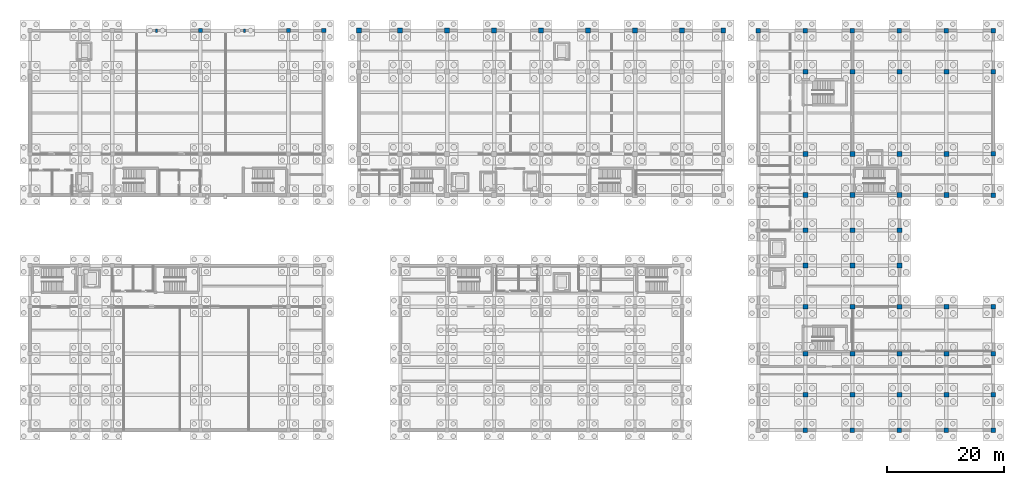
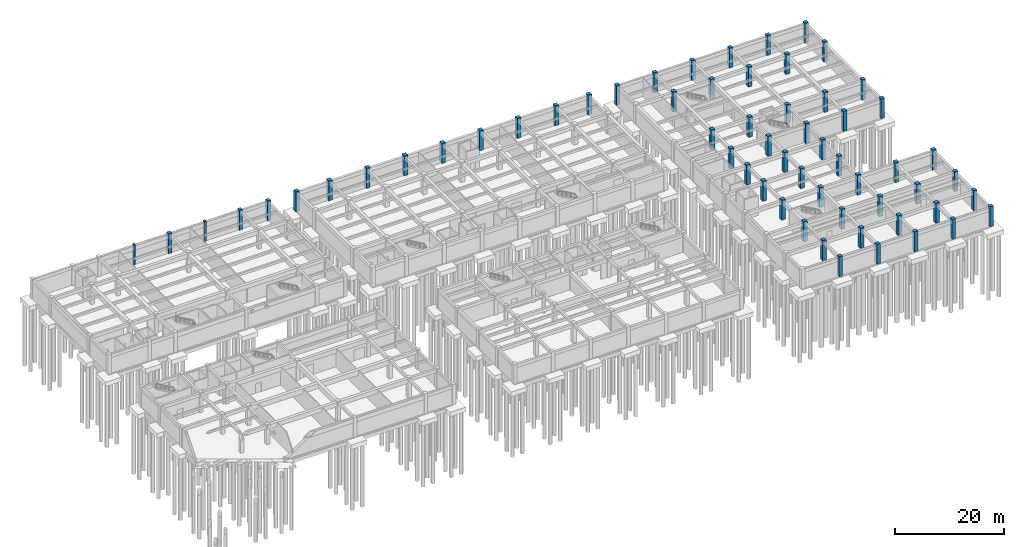
# One storey, part 9 of 28: 61 columns.
"""IFC4 building model written with IfcOpenShell, lengths in metres."""

from ifc_helpers import new_model, si_unit, direction, frame, origin, origin_2d, place, context, subcontext, project, spatial, rectangle, extrude, material, material_profile, profile_set, type_object, element, save


model = new_model("IFC4")

# Units and contexts
model_context = context("Model", 3, precision=1e-05, world=origin(), true_north=direction((0.0, 1.0)))
body_context = subcontext(model_context, "Body", "Model", "MODEL_VIEW")
ifc_project = project(units=[si_unit("LENGTHUNIT", "METRE"), si_unit("AREAUNIT", "SQUARE_METRE"), si_unit("VOLUMEUNIT", "CUBIC_METRE"), si_unit("PLANEANGLEUNIT", "RADIAN"), si_unit("MASSUNIT", "GRAM", prefix="KILO")], contexts=[model_context])

# Site, building, storey
site_placement = place(None, origin())
site = spatial("IfcSite", under=ifc_project, at=site_placement, CompositionType="ELEMENT")
building_placement = place(site_placement, origin())
building = spatial("IfcBuilding", under=site, at=building_placement, Name="Naurynzar Civic Courthouse", CompositionType="ELEMENT")
storey_placement = place(building_placement, frame((0.0, 0.0, -4.5)))
storey = spatial("IfcBuildingStorey", under=building, at=storey_placement, Name="B01", CompositionType="ELEMENT", Elevation=-4.5)

# Columns
ifc_material_1 = material(Name="Concrete C40/50", Category="concrete")
ifc_material_profile_1 = material_profile(ifc_material_1, rectangle(XDim=0.699951171875, YDim=0.699951171875, at=origin_2d()), Name="RC 700x700")
ifc_profile_set_1 = profile_set([ifc_material_profile_1], Name="Concrete C40/50")
column_type_1 = type_object("IfcColumnType", Name="COL-RC-700", PredefinedType="COLUMN", material=ifc_profile_set_1)
for number, where, z_axis, x_axis, name in (
    (1, (35.0, 72.0, 0.0), (0.0, 0.0, 1.0), (1.0, 0.0, 0.0), "V1 column (35.0,72.0) B01"),
    (2, (50.0, 72.0, 0.0), (0.0, 0.0, 1.0), (1.0, 0.0, 0.0), "V1 column (50.0,72.0) B01"),
    (3, (56.0, 72.0, 0.0), (0.0, 0.0, 1.0), (1.0, 0.0, 0.0), "V1 column (56.0,72.0) B01"),
):
    element("IfcColumn", number, at=place(storey_placement, frame(where, z_axis=z_axis, x_axis=x_axis)), inside=storey, type_object=column_type_1, Name=name, PredefinedType="COLUMN", context=body_context, shape_type="SweptSolid", body=[
        extrude(rectangle(XDim=0.699951171875, YDim=0.699951171875, at=origin_2d()), origin(), (0.0, 0.0, 1.0), 4.5),
    ])
ifc_material_2 = material(Name="Concrete C40/50", Category="concrete")
ifc_material_profile_2 = material_profile(ifc_material_2, rectangle(XDim=0.75, YDim=0.75, at=origin_2d()), Name="RC 750x750")
ifc_profile_set_2 = profile_set([ifc_material_profile_2], Name="Concrete C40/50")
column_type_2 = type_object("IfcColumnType", Name="COL-RC-750", PredefinedType="COLUMN", material=ifc_profile_set_2)
for number, where, z_axis, x_axis, name in (
    (4, (130.0, 72.0, 0.0), (0.0, 0.0, 1.0), (1.0, 0.0, 0.0), "V5 column (130.0,72.0) B01"),
    (5, (138.0, 4.0, 0.0), (0.0, 0.0, 1.0), (1.0, 0.0, 0.0), "V5 column (138.0,4.0) B01"),
    (6, (138.0, 72.0, 0.0), (0.0, 0.0, 1.0), (1.0, 0.0, 0.0), "V5 column (138.0,72.0) B01"),
    (7, (146.0, 4.0, 0.0), (0.0, 0.0, 1.0), (1.0, 0.0, 0.0), "V5 column (146.0,4.0) B01"),
    (8, (146.0, 72.0, 0.0), (0.0, 0.0, 1.0), (1.0, 0.0, 0.0), "V5 column (146.0,72.0) B01"),
    (9, (154.0, 4.0, 0.0), (0.0, 0.0, 1.0), (1.0, 0.0, 0.0), "V5 column (154.0,4.0) B01"),
    (10, (154.0, 72.0, 0.0), (0.0, 0.0, 1.0), (1.0, 0.0, 0.0), "V5 column (154.0,72.0) B01"),
    (11, (162.0, 4.0, 0.0), (0.0, 0.0, 1.0), (1.0, 0.0, 0.0), "V5 column (162.0,4.0) B01"),
    (12, (162.0, 72.0, 0.0), (0.0, 0.0, 1.0), (1.0, 0.0, 0.0), "V5 column (162.0,72.0) B01"),
    (13, (170.0, 4.0, 0.0), (0.0, 0.0, 1.0), (1.0, 0.0, 0.0), "V5 column (170.0,4.0) B01"),
    (14, (170.0, 10.0, 0.0), (0.0, 0.0, 1.0), (1.0, 0.0, 0.0), "V5 column (170.0,10.0) B01"),
    (15, (170.0, 17.0, 0.0), (0.0, 0.0, 1.0), (1.0, 0.0, 0.0), "V5 column (170.0,17.0) B01"),
    (16, (170.0, 25.0, 0.0), (0.0, 0.0, 1.0), (1.0, 0.0, 0.0), "V5 column (170.0,25.0) B01"),
    (17, (170.0, 44.0, 0.0), (0.0, 0.0, 1.0), (1.0, 0.0, 0.0), "V5 column (170.0,44.0) B01"),
    (18, (170.0, 51.0, 0.0), (0.0, 0.0, 1.0), (1.0, 0.0, 0.0), "V5 column (170.0,51.0) B01"),
    (19, (170.0, 65.0, 0.0), (0.0, 0.0, 1.0), (1.0, 0.0, 0.0), "V5 column (170.0,65.0) B01"),
    (20, (170.0, 72.0, 0.0), (0.0, 0.0, 1.0), (1.0, 0.0, 0.0), "V5 column (170.0,72.0) B01"),
):
    element("IfcColumn", number, at=place(storey_placement, frame(where, z_axis=z_axis, x_axis=x_axis)), inside=storey, type_object=column_type_2, Name=name, PredefinedType="COLUMN", context=body_context, shape_type="SweptSolid", body=[
        extrude(rectangle(XDim=0.75, YDim=0.75, at=origin_2d()), origin(), (0.0, 0.0, 1.0), 4.5),
    ])
ifc_material_3 = material(Name="Concrete C40/50", Category="concrete")
ifc_material_profile_3 = material_profile(ifc_material_3, rectangle(XDim=0.800048828125, YDim=0.800048828125, at=origin_2d()), Name="RC 800x800")
ifc_profile_set_3 = profile_set([ifc_material_profile_3], Name="Concrete C40/50")
column_type_3 = type_object("IfcColumnType", Name="COL-RC-800", PredefinedType="COLUMN", material=ifc_profile_set_3)
for number, where, z_axis, x_axis, name in (
    (21, (62.0, 72.0, 0.0), (0.0, 0.0, 1.0), (1.0, 0.0, 0.0), "V2 column (62.0,72.0) B01"),
    (22, (69.0, 72.0, 0.0), (0.0, 0.0, 1.0), (1.0, 0.0, 0.0), "V2 column (69.0,72.0) B01"),
    (23, (77.0, 72.0, 0.0), (0.0, 0.0, 1.0), (1.0, 0.0, 0.0), "V2 column (77.0,72.0) B01"),
    (24, (85.0, 72.0, 0.0), (0.0, 0.0, 1.0), (1.0, 0.0, 0.0), "V2 column (85.0,72.0) B01"),
    (25, (93.0, 72.0, 0.0), (0.0, 0.0, 1.0), (1.0, 0.0, 0.0), "V2 column (93.0,72.0) B01"),
    (26, (101.0, 72.0, 0.0), (0.0, 0.0, 1.0), (1.0, 0.0, 0.0), "V2 column (101.0,72.0) B01"),
    (27, (109.0, 72.0, 0.0), (0.0, 0.0, 1.0), (1.0, 0.0, 0.0), "V2 column (109.0,72.0) B01"),
    (28, (117.0, 72.0, 0.0), (0.0, 0.0, 1.0), (1.0, 0.0, 0.0), "V2 column (117.0,72.0) B01"),
    (29, (124.0, 72.0, 0.0), (0.0, 0.0, 1.0), (1.0, 0.0, 0.0), "V2 column (124.0,72.0) B01"),
    (30, (138.0, 10.0, 0.0), (0.0, 0.0, 1.0), (1.0, 0.0, 0.0), "V5 column (138.0,10.0) B01"),
    (31, (138.0, 17.0, 0.0), (0.0, 0.0, 1.0), (1.0, 0.0, 0.0), "V5 column (138.0,17.0) B01"),
    (32, (138.0, 25.0, 0.0), (0.0, 0.0, 1.0), (1.0, 0.0, 0.0), "V5 column (138.0,25.0) B01"),
    (33, (138.0, 32.0, 0.0), (0.0, 0.0, 1.0), (1.0, 0.0, 0.0), "V5 column (138.0,32.0) B01"),
    (34, (138.0, 38.0, 0.0), (0.0, 0.0, 1.0), (1.0, 0.0, 0.0), "V5 column (138.0,38.0) B01"),
    (35, (138.0, 44.0, 0.0), (0.0, 0.0, 1.0), (1.0, 0.0, 0.0), "V5 column (138.0,44.0) B01"),
    (36, (138.0, 51.0, 0.0), (0.0, 0.0, 1.0), (1.0, 0.0, 0.0), "V5 column (138.0,51.0) B01"),
    (37, (138.0, 65.0, 0.0), (0.0, 0.0, 1.0), (1.0, 0.0, 0.0), "V5 column (138.0,65.0) B01"),
    (38, (146.0, 10.0, 0.0), (0.0, 0.0, 1.0), (1.0, 0.0, 0.0), "V5 column (146.0,10.0) B01"),
    (39, (146.0, 17.0, 0.0), (0.0, 0.0, 1.0), (1.0, 0.0, 0.0), "V5 column (146.0,17.0) B01"),
    (40, (146.0, 25.0, 0.0), (0.0, 0.0, 1.0), (1.0, 0.0, 0.0), "V5 column (146.0,25.0) B01"),
    (41, (146.0, 32.0, 0.0), (0.0, 0.0, 1.0), (1.0, 0.0, 0.0), "V5 column (146.0,32.0) B01"),
    (42, (146.0, 38.0, 0.0), (0.0, 0.0, 1.0), (1.0, 0.0, 0.0), "V5 column (146.0,38.0) B01"),
    (43, (146.0, 44.0, 0.0), (0.0, 0.0, 1.0), (1.0, 0.0, 0.0), "V5 column (146.0,44.0) B01"),
    (44, (146.0, 51.0, 0.0), (0.0, 0.0, 1.0), (1.0, 0.0, 0.0), "V5 column (146.0,51.0) B01"),
    (45, (146.0, 65.0, 0.0), (0.0, 0.0, 1.0), (1.0, 0.0, 0.0), "V5 column (146.0,65.0) B01"),
    (46, (154.0, 10.0, 0.0), (0.0, 0.0, 1.0), (1.0, 0.0, 0.0), "V5 column (154.0,10.0) B01"),
    (47, (154.0, 17.0, 0.0), (0.0, 0.0, 1.0), (1.0, 0.0, 0.0), "V5 column (154.0,17.0) B01"),
    (48, (154.0, 25.0, 0.0), (0.0, 0.0, 1.0), (1.0, 0.0, 0.0), "V5 column (154.0,25.0) B01"),
    (49, (154.0, 32.0, 0.0), (0.0, 0.0, 1.0), (1.0, 0.0, 0.0), "V5 column (154.0,32.0) B01"),
    (50, (154.0, 38.0, 0.0), (0.0, 0.0, 1.0), (1.0, 0.0, 0.0), "V5 column (154.0,38.0) B01"),
    (51, (154.0, 44.0, 0.0), (0.0, 0.0, 1.0), (1.0, 0.0, 0.0), "V5 column (154.0,44.0) B01"),
    (52, (154.0, 51.0, 0.0), (0.0, 0.0, 1.0), (1.0, 0.0, 0.0), "V5 column (154.0,51.0) B01"),
    (53, (154.0, 65.0, 0.0), (0.0, 0.0, 1.0), (1.0, 0.0, 0.0), "V5 column (154.0,65.0) B01"),
    (54, (162.0, 10.0, 0.0), (0.0, 0.0, 1.0), (1.0, 0.0, 0.0), "V5 column (162.0,10.0) B01"),
    (55, (162.0, 17.0, 0.0), (0.0, 0.0, 1.0), (1.0, 0.0, 0.0), "V5 column (162.0,17.0) B01"),
    (56, (162.0, 25.0, 0.0), (0.0, 0.0, 1.0), (1.0, 0.0, 0.0), "V5 column (162.0,25.0) B01"),
    (57, (162.0, 44.0, 0.0), (0.0, 0.0, 1.0), (1.0, 0.0, 0.0), "V5 column (162.0,44.0) B01"),
    (58, (162.0, 51.0, 0.0), (0.0, 0.0, 1.0), (1.0, 0.0, 0.0), "V5 column (162.0,51.0) B01"),
    (59, (162.0, 65.0, 0.0), (0.0, 0.0, 1.0), (1.0, 0.0, 0.0), "V5 column (162.0,65.0) B01"),
):
    element("IfcColumn", number, at=place(storey_placement, frame(where, z_axis=z_axis, x_axis=x_axis)), inside=storey, type_object=column_type_3, Name=name, PredefinedType="COLUMN", context=body_context, shape_type="SweptSolid", body=[
        extrude(rectangle(XDim=0.800048828125, YDim=0.800048828125, at=origin_2d()), origin(), (0.0, 0.0, 1.0), 4.5),
    ])
ifc_material_4 = material(Name="Concrete C40/50", Category="concrete")
ifc_material_profile_4 = material_profile(ifc_material_4, rectangle(XDim=0.35009765625, YDim=0.60009765625, at=origin_2d()), Name="RC 350x600")
ifc_profile_set_4 = profile_set([ifc_material_profile_4], Name="Concrete C40/50")
column_type_4 = type_object("IfcColumnType", Name="PIL-RC-350x600", PredefinedType="PILASTER", material=ifc_profile_set_4)
for number, where, z_axis, x_axis, name in (
    (60, (27.5, 72.0, 0.0), (0.0, 0.0, 1.0), (1.0, 0.0, 0.0), "V1 north street pilaster 27.5 B01"),
    (61, (42.5, 72.0, 0.0), (0.0, 0.0, 1.0), (1.0, 0.0, 0.0), "V1 north street pilaster 42.5 B01"),
):
    element("IfcColumn", number, at=place(storey_placement, frame(where, z_axis=z_axis, x_axis=x_axis)), inside=storey, type_object=column_type_4, Name=name, PredefinedType="PILASTER", context=body_context, shape_type="SweptSolid", body=[
        extrude(rectangle(XDim=0.35009765625, YDim=0.60009765625, at=origin_2d()), origin(), (0.0, 0.0, 1.0), 4.5),
    ])

save(model, "model.ifc")
